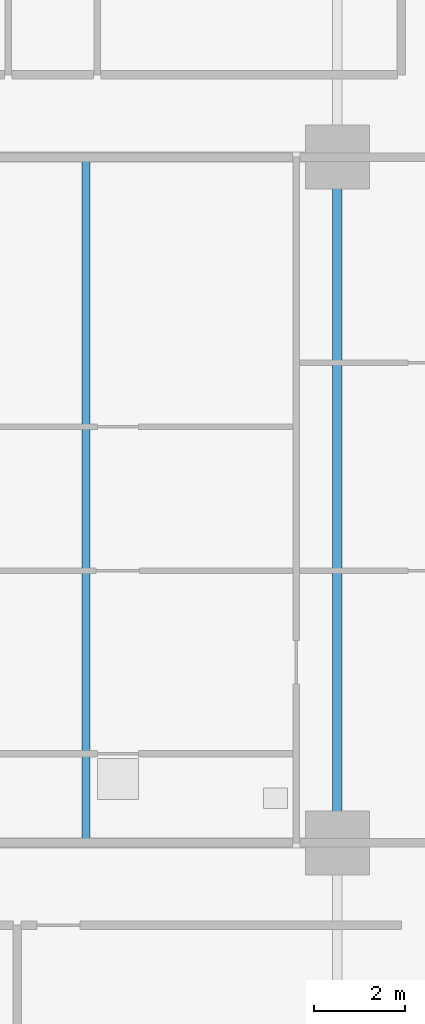
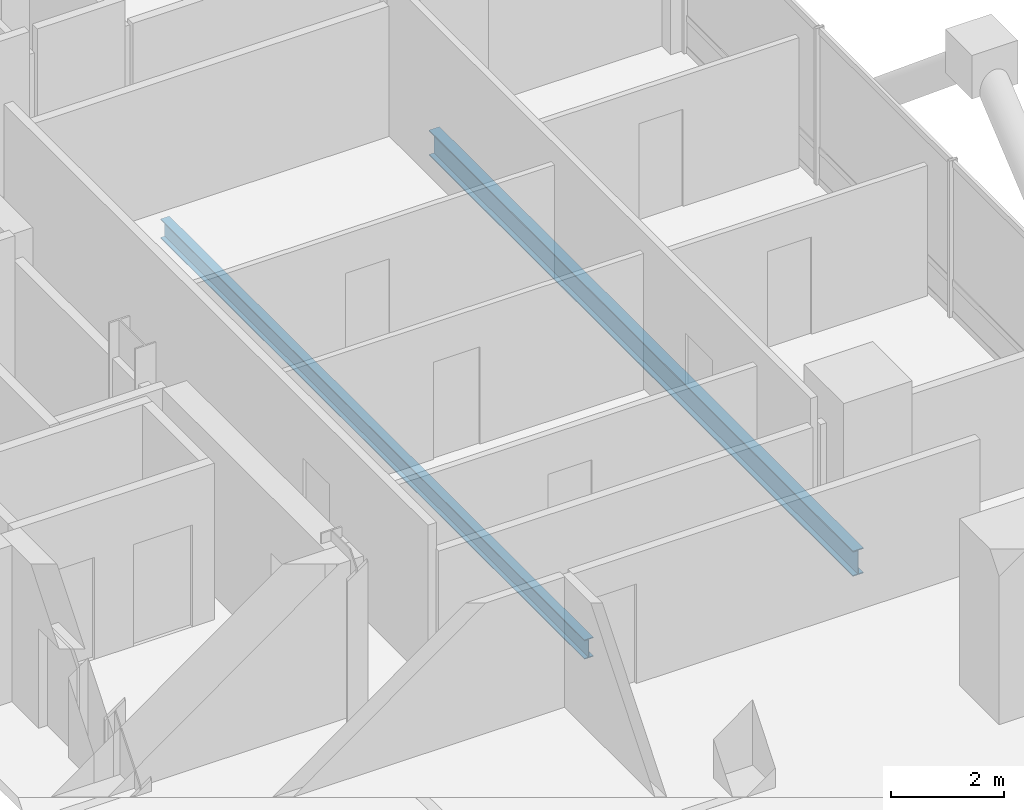
# One storey, part 9 of 23: 2 beams.
"""IFC4 building model written with IfcOpenShell, lengths in metres."""

from ifc_helpers import new_model, si_unit, direction, frame, origin, origin_2d, place, context, subcontext, project, spatial, i_section, extrude, material, material_profile, profile_set, type_object, element, save


model = new_model("IFC4")

# Units and contexts
model_context = context("Model", 3, precision=1e-05, world=origin(), true_north=direction((0.0, 1.0)))
body_context = subcontext(model_context, "Body", "Model", "MODEL_VIEW")
ifc_project = project(units=[si_unit("LENGTHUNIT", "METRE"), si_unit("AREAUNIT", "SQUARE_METRE"), si_unit("VOLUMEUNIT", "CUBIC_METRE"), si_unit("PLANEANGLEUNIT", "RADIAN"), si_unit("MASSUNIT", "GRAM", prefix="KILO")], contexts=[model_context])

# Site, building, storey
site_placement = place(None, origin())
site = spatial("IfcSite", under=ifc_project, at=site_placement, CompositionType="ELEMENT")
building_placement = place(site_placement, origin())
building = spatial("IfcBuilding", under=site, at=building_placement, Name="Barlavira Tower and Art Museum", CompositionType="ELEMENT")
storey_placement = place(building_placement, frame((0.0, 0.0, 57.60009765625)))
storey = spatial("IfcBuildingStorey", under=building, at=storey_placement, Name="L13", CompositionType="ELEMENT", Elevation=57.60009765625)

# Beams
ifc_material = material(Name="Steel S355", Category="steel")
ifc_material_profile_1 = material_profile(ifc_material, i_section(OverallWidth=0.180908203125, OverallDepth=0.4169921875, WebThickness=0.010986328125, FlangeThickness=0.018310546875, at=origin_2d()), Name="W410x85.0")
ifc_profile_set_1 = profile_set([ifc_material_profile_1], Name="Steel S355")
beam_type_1 = type_object("IfcBeamType", Name="Zone 1 Composite Floor Joist W410x85 Steel S355", PredefinedType="JOIST", material=ifc_profile_set_1)
beam_1_placement = place(storey_placement, frame((11.5, -7.5, -0.4287109375), z_axis=(0.0, 1.0, 0.0), x_axis=(-1.0, 0.0, 0.0)))
element("IfcBeam", 1, at=beam_1_placement, inside=storey, type_object=beam_type_1, Name="L13 Joist W2", PredefinedType="JOIST", context=body_context, shape_type="SweptSolid", body=[
    extrude(i_section(OverallWidth=0.180908203125, OverallDepth=0.4169921875, WebThickness=0.010986328125, FlangeThickness=0.018310546875, at=origin_2d()), origin(), (0.0, 0.0, 1.0), 15.0),
])
ifc_material_profile_2 = material_profile(ifc_material, i_section(OverallWidth=0.214111328125, OverallDepth=0.549072265625, WebThickness=0.0146484375, FlangeThickness=0.023681640625, at=origin_2d()), Name="W530x138.0")
ifc_profile_set_2 = profile_set([ifc_material_profile_2], Name="Steel S355")
beam_type_2 = type_object("IfcBeamType", Name="Zone 1 Primary Floor Girder W530x138 Steel S355", PredefinedType="BEAM", material=ifc_profile_set_2)
beam_2_placement = place(storey_placement, frame((17.0, -7.5, -0.49462890625), z_axis=(0.0, 1.0, 0.0), x_axis=(-1.0, 0.0, 0.0)))
element("IfcBeam", 2, at=beam_2_placement, inside=storey, type_object=beam_type_2, Name="L13 Girder M-E2", PredefinedType="BEAM", context=body_context, shape_type="SweptSolid", body=[
    extrude(i_section(OverallWidth=0.214111328125, OverallDepth=0.549072265625, WebThickness=0.0146484375, FlangeThickness=0.023681640625, at=origin_2d()), origin(), (0.0, 0.0, 1.0), 15.0),
])

save(model, "model.ifc")
